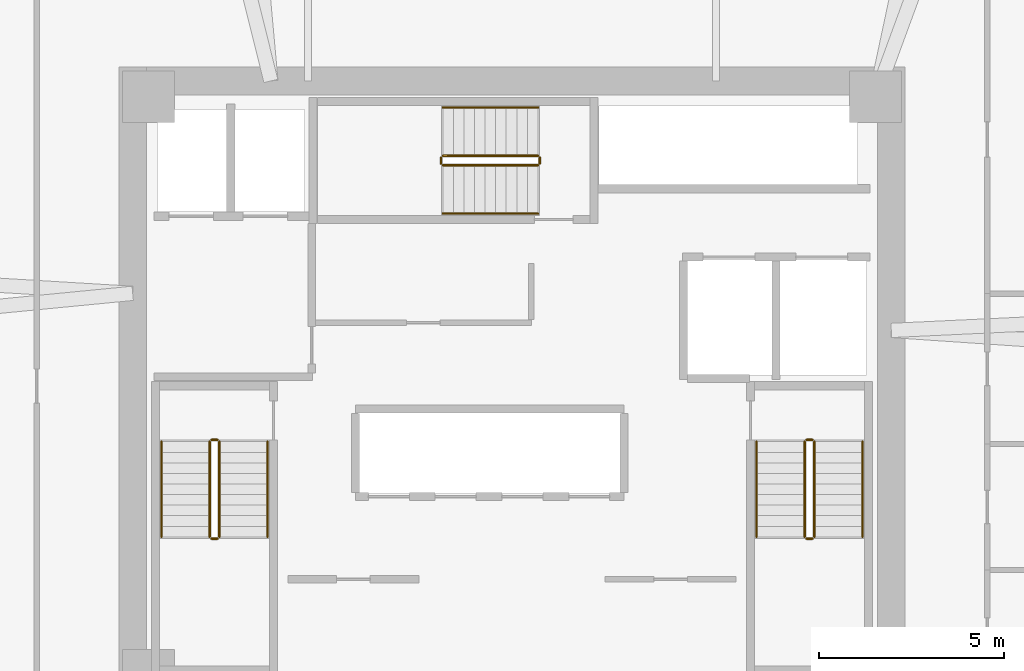
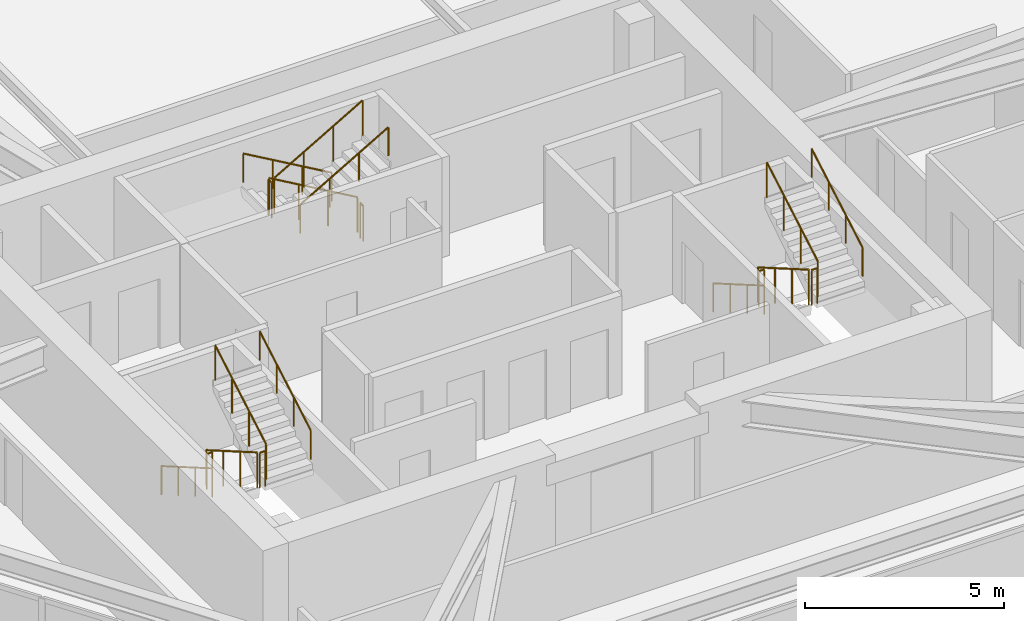
# One storey, part 13 of 13: 18 railings.
"""IFC4 building model written with IfcOpenShell, lengths in metres."""

import ifcopenshell
import ifcopenshell.guid

model = None  # the IFC model being written
_history = None  # IfcOwnerHistory: only IFC2X3 demands one
_inside = {}  # id of a spatial element -> (the spatial element, [elements in it])
_under = {}  # id of a project, library or spatial element -> (it, [spatial elements below it])
_declared = {}  # id of a project -> (the project, [libraries it declares])
_typed = {}  # id of a type object -> (the type object, [elements of that type])
_made_of = {}  # id of a material, layer set ... -> (it, [elements and type objects made of it])


def new_model(schema):
    """Start an empty IFC model of exactly this schema.

    Asked for "IFC4X3", IfcOpenShell would pick the latest addendum, in which some entities
    have other attributes; the version numbers below select the first issue.
    IFC2X3 requires an IfcOwnerHistory on every rooted entity: one is made here for all.
    """
    global model, _history
    if schema == "IFC4X3":
        model = ifcopenshell.file(schema_version=(4, 3, 0, 0))
    else:
        model = ifcopenshell.file(schema=schema)
    _inside.clear()
    _under.clear()
    _declared.clear()
    _typed.clear()
    _made_of.clear()
    _history = None
    if model.schema == "IFC2X3":
        org = make("IfcOrganization", Name="unknown")
        user = make(
            "IfcPersonAndOrganization",
            ThePerson=make("IfcPerson", FamilyName="unknown"),
            TheOrganization=org,
        )
        app = make(
            "IfcApplication",
            ApplicationDeveloper=org,
            Version="unknown",
            ApplicationFullName="unknown",
            ApplicationIdentifier="unknown",
        )
        _history = make(
            "IfcOwnerHistory",
            OwningUser=user,
            OwningApplication=app,
            ChangeAction="ADDED",
            CreationDate=0,
        )
    return model


def make(cls, **values):
    """One entity of the class cls with the attributes given. An attribute that is None is left unset."""
    return model.create_entity(
        cls, **{name: value for name, value in values.items() if value is not None}
    )


def rooted(cls, **values):
    """An entity with a GlobalId (a new one), such as an element, a storey or a relation."""
    return make(cls, GlobalId=ifcopenshell.guid.new(), OwnerHistory=_history, **values)


def si_unit(unit_type, name, prefix=None):
    """IfcSIUnit, for example si_unit("LENGTHUNIT", "METRE", prefix="MILLI")."""
    return make("IfcSIUnit", UnitType=unit_type, Prefix=prefix, Name=name)


def assignment(units):
    """IfcUnitAssignment: the units of a project."""
    return None if units is None else make("IfcUnitAssignment", Units=units)


def point(xyz):
    """IfcCartesianPoint."""
    return None if xyz is None else make("IfcCartesianPoint", Coordinates=xyz)


def direction(xyz):
    """IfcDirection."""
    return None if xyz is None else make("IfcDirection", DirectionRatios=xyz)


def frame(location, z_axis=None, x_axis=None):
    """IfcAxis2Placement3D, a coordinate frame: its origin and axes. An axis left out is left unset."""
    return make(
        "IfcAxis2Placement3D",
        Location=point(location),
        Axis=direction(z_axis),
        RefDirection=direction(x_axis),
    )


def frame_2d(location, x_axis=None):
    """IfcAxis2Placement2D, a coordinate frame in the plane: its origin and x axis."""
    return make(
        "IfcAxis2Placement2D", Location=point(location), RefDirection=direction(x_axis)
    )


def origin():
    """The frame at (0, 0, 0) with its axes left unset."""
    return frame((0.0, 0.0, 0.0))


def origin_2d():
    """The frame at (0, 0) in the plane with its x axis left unset."""
    return frame_2d((0.0, 0.0))


def place(relative_to, where):
    """IfcLocalPlacement: puts the frame where relative to a parent placement (None: the world)."""
    return make(
        "IfcLocalPlacement", PlacementRelTo=relative_to, RelativePlacement=where
    )


def context(
    kind, dimensions, precision=None, world=None, true_north=None, identifier=None
):
    """IfcGeometricRepresentationContext, for example the 3D "Model" context."""
    return make(
        "IfcGeometricRepresentationContext",
        ContextIdentifier=identifier,
        ContextType=kind,
        CoordinateSpaceDimension=dimensions,
        Precision=precision,
        WorldCoordinateSystem=world,
        TrueNorth=true_north,
    )


def subcontext(parent, identifier, kind, view, scale=None):
    """IfcGeometricRepresentationSubContext, for example "Body" below "Model"."""
    return make(
        "IfcGeometricRepresentationSubContext",
        ContextIdentifier=identifier,
        ContextType=kind,
        ParentContext=parent,
        TargetScale=scale,
        TargetView=view,
    )


def project(units=None, contexts=None):
    """IfcProject with its units and contexts."""
    return rooted(
        "IfcProject",
        Name="project",
        RepresentationContexts=contexts,
        UnitsInContext=assignment(units),
    )


def spatial(cls, under=None, at=None, **own):
    """A site, building, storey or space (cls), placed at a placement, below another one or the project."""
    s = rooted(cls, ObjectPlacement=at, **own)
    if under is not None:
        _under.setdefault(under.id(), (under, []))[1].append(s)
    return s


def profile(cls, at=None, kind="AREA", **sizes):
    """A parametric profile (cls). Its sizes go by their IFC names, for example OverallWidth=200.0."""
    return make(cls, ProfileType=kind, Position=at, **sizes)


def circle(**sizes):
    """IfcCircleProfileDef."""
    return profile("IfcCircleProfileDef", **sizes)


def extrude(swept, where, along, depth):
    """IfcExtrudedAreaSolid: the profile swept, set in the frame where, extruded along a direction by depth."""
    return make(
        "IfcExtrudedAreaSolid",
        SweptArea=swept,
        Position=where,
        ExtrudedDirection=direction(along),
        Depth=depth,
    )


def shape(context_of_items, identifier, shape_type, items):
    """IfcShapeRepresentation: the items that make up one representation, for example the "Body"."""
    return make(
        "IfcShapeRepresentation",
        ContextOfItems=context_of_items,
        RepresentationIdentifier=identifier,
        RepresentationType=shape_type,
        Items=items,
    )


def material(Name=None, Category=None):
    """IfcMaterial."""
    return make("IfcMaterial", Name=Name, Category=Category)


def made_of(thing, what):
    """Note that an element or type object is made of a material, layer set ...; save() writes the relation."""
    if what is not None:
        _made_of.setdefault(what.id(), (what, []))[1].append(thing)
    return thing


def type_object(cls, material=None, **own):
    """A type object (cls), such as IfcWallType, which elements share."""
    return made_of(rooted(cls, **own), material)


def element(
    cls,
    number,
    at=None,
    inside=None,
    cuts=None,
    type_object=None,
    material=None,
    context=None,
    identifier="Body",
    shape_type=None,
    held_by="IfcProductDefinitionShape",
    body=None,
    shapes=None,
    **own,
):
    """One element of the class cls, such as IfcWall. Its Tag is "e" and its number.

    at: its placement. inside: the storey or other place that contains it. cuts: it is an
    opening in that element (IfcRelVoidsElement). A single representation is given by context,
    identifier, shape_type and body (its items); several are given by shapes. held_by: the class
    of the entity that holds the representations. save() writes the other relations.
    """
    e = rooted(cls, Tag="e%d" % number, ObjectPlacement=at, **own)
    if body is not None:
        shapes = [shape(context, identifier, shape_type, body)]
    if shapes is not None:
        e.Representation = make(held_by, Representations=shapes)
    if inside is not None:
        _inside.setdefault(inside.id(), (inside, []))[1].append(e)
    if cuts is not None:
        rooted(
            "IfcRelVoidsElement", RelatingBuildingElement=cuts, RelatedOpeningElement=e
        )
    if type_object is not None:
        _typed.setdefault(type_object.id(), (type_object, []))[1].append(e)
    return made_of(e, material)


def aggregate(whole, parts):
    """IfcRelAggregates: a whole, such as a stair, and the parts it consists of."""
    return rooted("IfcRelAggregates", RelatingObject=whole, RelatedObjects=parts)


def save(model, path):
    """Write the relations noted so far, then the file.

    IfcRelAggregates (storeys below a building ...), IfcRelContainedInSpatialStructure (elements
    in a storey), IfcRelDefinesByType, IfcRelAssociatesMaterial and IfcRelDeclares: one each for
    every whole, place, type object, material and project.
    """
    for whole, parts in _under.values():
        aggregate(whole, parts)
    for where, things in _inside.values():
        rooted(
            "IfcRelContainedInSpatialStructure",
            RelatedElements=things,
            RelatingStructure=where,
        )
    for kind, things in _typed.values():
        rooted("IfcRelDefinesByType", RelatedObjects=things, RelatingType=kind)
    for what, things in _made_of.values():
        rooted("IfcRelAssociatesMaterial", RelatedObjects=things, RelatingMaterial=what)
    for by, libraries in _declared.values():
        rooted("IfcRelDeclares", RelatingContext=by, RelatedDefinitions=libraries)
    model.write(path)


model = new_model("IFC4")

# Units and contexts
model_context = context("Model", 3, precision=1e-05, world=origin(), true_north=direction((0.0, 1.0)))
body_context = subcontext(model_context, "Body", "Model", "MODEL_VIEW")
ifc_project = project(units=[si_unit("LENGTHUNIT", "METRE"), si_unit("AREAUNIT", "SQUARE_METRE"), si_unit("VOLUMEUNIT", "CUBIC_METRE"), si_unit("PLANEANGLEUNIT", "RADIAN"), si_unit("MASSUNIT", "GRAM", prefix="KILO")], contexts=[model_context])

# Site, building, storey
site_placement = place(None, origin())
site = spatial("IfcSite", under=ifc_project, at=site_placement, CompositionType="ELEMENT")
building_placement = place(site_placement, origin())
building = spatial("IfcBuilding", under=site, at=building_placement, Name="Durnholm Broadcast Tower", CompositionType="ELEMENT")
storey_placement = place(building_placement, frame((0.0, 0.0, 100.800048828125)))
storey = spatial("IfcBuildingStorey", under=building, at=storey_placement, Name="L26", CompositionType="ELEMENT", Elevation=100.800048828125)

# Railings
ifc_material_1 = material(Name="Painted Tubular Steel Stair Guardrail", Category="steel")
railing_type_1 = type_object("IfcRailingType", Name="RAIL-ST-GRD", PredefinedType="GUARDRAIL", material=ifc_material_1)
railing_1_placement = place(storey_placement, frame((-8.14990234375, -1.5, 0.1650390625)))
element("IfcRailing", 1, at=railing_1_placement, inside=storey, type_object=railing_type_1, Name="L26 ST-1 stair guard 1", PredefinedType="GUARDRAIL", context=body_context, shape_type="SweptSolid", body=[
    extrude(circle(Radius=0.02392578125, at=origin_2d()), frame((0.0, 0.0, 1.076171875), z_axis=(0.0, -0.865441324677, 0.50101029285), x_axis=(1.0, 0.0, 0.0)), (0.0, 0.0, 1.0), 2.963623046875),
    extrude(circle(Radius=0.02099609375, at=origin_2d()), origin(), (0.0, 0.0, 1.0), 1.052001953125),
    extrude(circle(Radius=0.02099609375, at=origin_2d()), frame((0.0, -0.85498046875, 0.494873046875)), (0.0, 0.0, 1.0), 1.052001953125),
    extrude(circle(Radius=0.02099609375, at=origin_2d()), frame((0.0, -1.7099609375, 0.989990234375)), (0.0, 0.0, 1.0), 1.052001953125),
    extrude(circle(Radius=0.02099609375, at=origin_2d()), frame((0.0, -2.56494140625, 1.48486328125)), (0.0, 0.0, 1.0), 1.052001953125),
])
railing_2_placement = place(storey_placement, frame((-8.10009765625, -4.114990234375, 1.64990234375)))
element("IfcRailing", 2, at=railing_2_placement, inside=storey, type_object=railing_type_1, Name="L26 ST-1 stair guard 2", PredefinedType="GUARDRAIL", context=body_context, shape_type="SweptSolid", body=[
    extrude(circle(Radius=0.02392578125, at=origin_2d()), frame((0.0, 0.0, 1.076171875), z_axis=(1.0, 0.0, 0.0), x_axis=(0.0, 1.0, 0.0)), (0.0, 0.0, 1.0), 0.16015625),
    extrude(circle(Radius=0.02099609375, at=origin_2d()), origin(), (0.0, 0.0, 1.0), 1.052001953125),
    extrude(circle(Radius=0.02099609375, at=origin_2d()), frame((0.16015625, 0.0, 0.0)), (0.0, 0.0, 1.0), 1.052001953125),
])
railing_3_placement = place(storey_placement, frame((-7.889892578125, -4.06494140625, 1.81494140625)))
element("IfcRailing", 3, at=railing_3_placement, inside=storey, type_object=railing_type_1, Name="L26 ST-1 stair guard 3", PredefinedType="GUARDRAIL", context=body_context, shape_type="SweptSolid", body=[
    extrude(circle(Radius=0.02392578125, at=origin_2d()), frame((0.0, 0.0, 1.076171875), z_axis=(0.0, 0.865405606168, 0.501071987656), x_axis=(-1.0, 0.0, 0.0)), (0.0, 0.0, 1.0), 2.9638671875),
    extrude(circle(Radius=0.02099609375, at=origin_2d()), origin(), (0.0, 0.0, 1.0), 1.052001953125),
    extrude(circle(Radius=0.02099609375, at=origin_2d()), frame((0.0, 0.85498046875, 0.4951171875)), (0.0, 0.0, 1.0), 1.052001953125),
    extrude(circle(Radius=0.02099609375, at=origin_2d()), frame((0.0, 1.7099609375, 0.989990234375)), (0.0, 0.0, 1.0), 1.052001953125),
    extrude(circle(Radius=0.02099609375, at=origin_2d()), frame((0.0, 2.56494140625, 1.485107421875)), (0.0, 0.0, 1.0), 1.052001953125),
])
railing_4_placement = place(storey_placement, frame((-8.10009765625, -1.449951171875, 0.0)))
element("IfcRailing", 4, at=railing_4_placement, inside=storey, type_object=railing_type_1, Name="L26 ST-1 stair guard 4", PredefinedType="GUARDRAIL", context=body_context, shape_type="SweptSolid", body=[
    extrude(circle(Radius=0.02392578125, at=origin_2d()), frame((0.0, 0.0, 1.076171875), z_axis=(1.0, 0.0, 0.0), x_axis=(0.0, 1.0, 0.0)), (0.0, 0.0, 1.0), 0.16015625),
    extrude(circle(Radius=0.02099609375, at=origin_2d()), origin(), (0.0, 0.0, 1.0), 1.052001953125),
    extrude(circle(Radius=0.02099609375, at=origin_2d()), frame((0.16015625, 0.0, 0.0)), (0.0, 0.0, 1.0), 1.052001953125),
])
railing_5_placement = place(storey_placement, frame((7.889892578125, -1.5, 0.1650390625)))
element("IfcRailing", 5, at=railing_5_placement, inside=storey, type_object=railing_type_1, Name="L26 ST-2 stair guard 1", PredefinedType="GUARDRAIL", context=body_context, shape_type="SweptSolid", body=[
    extrude(circle(Radius=0.02392578125, at=origin_2d()), frame((0.0, 0.0, 1.076171875), z_axis=(0.0, -0.865441324677, 0.50101029285), x_axis=(1.0, 0.0, 0.0)), (0.0, 0.0, 1.0), 2.963623046875),
    extrude(circle(Radius=0.02099609375, at=origin_2d()), origin(), (0.0, 0.0, 1.0), 1.052001953125),
    extrude(circle(Radius=0.02099609375, at=origin_2d()), frame((0.0, -0.85498046875, 0.494873046875)), (0.0, 0.0, 1.0), 1.052001953125),
    extrude(circle(Radius=0.02099609375, at=origin_2d()), frame((0.0, -1.7099609375, 0.989990234375)), (0.0, 0.0, 1.0), 1.052001953125),
    extrude(circle(Radius=0.02099609375, at=origin_2d()), frame((0.0, -2.56494140625, 1.48486328125)), (0.0, 0.0, 1.0), 1.052001953125),
])
railing_6_placement = place(storey_placement, frame((7.93994140625, -4.114990234375, 1.64990234375)))
element("IfcRailing", 6, at=railing_6_placement, inside=storey, type_object=railing_type_1, Name="L26 ST-2 stair guard 2", PredefinedType="GUARDRAIL", context=body_context, shape_type="SweptSolid", body=[
    extrude(circle(Radius=0.02392578125, at=origin_2d()), frame((0.0, 0.0, 1.076171875), z_axis=(1.0, 0.0, 0.0), x_axis=(0.0, 1.0, 0.0)), (0.0, 0.0, 1.0), 0.16015625),
    extrude(circle(Radius=0.02099609375, at=origin_2d()), origin(), (0.0, 0.0, 1.0), 1.052001953125),
    extrude(circle(Radius=0.02099609375, at=origin_2d()), frame((0.16015625, 0.0, 0.0)), (0.0, 0.0, 1.0), 1.052001953125),
])
railing_7_placement = place(storey_placement, frame((8.14990234375, -4.06494140625, 1.81494140625)))
element("IfcRailing", 7, at=railing_7_placement, inside=storey, type_object=railing_type_1, Name="L26 ST-2 stair guard 3", PredefinedType="GUARDRAIL", context=body_context, shape_type="SweptSolid", body=[
    extrude(circle(Radius=0.02392578125, at=origin_2d()), frame((0.0, 0.0, 1.076171875), z_axis=(0.0, 0.865405606168, 0.501071987656), x_axis=(-1.0, 0.0, 0.0)), (0.0, 0.0, 1.0), 2.9638671875),
    extrude(circle(Radius=0.02099609375, at=origin_2d()), origin(), (0.0, 0.0, 1.0), 1.052001953125),
    extrude(circle(Radius=0.02099609375, at=origin_2d()), frame((0.0, 0.85498046875, 0.4951171875)), (0.0, 0.0, 1.0), 1.052001953125),
    extrude(circle(Radius=0.02099609375, at=origin_2d()), frame((0.0, 1.7099609375, 0.989990234375)), (0.0, 0.0, 1.0), 1.052001953125),
    extrude(circle(Radius=0.02099609375, at=origin_2d()), frame((0.0, 2.56494140625, 1.485107421875)), (0.0, 0.0, 1.0), 1.052001953125),
])
railing_8_placement = place(storey_placement, frame((7.93994140625, -1.449951171875, 0.0)))
element("IfcRailing", 8, at=railing_8_placement, inside=storey, type_object=railing_type_1, Name="L26 ST-2 stair guard 4", PredefinedType="GUARDRAIL", context=body_context, shape_type="SweptSolid", body=[
    extrude(circle(Radius=0.02392578125, at=origin_2d()), frame((0.0, 0.0, 1.076171875), z_axis=(1.0, 0.0, 0.0), x_axis=(0.0, 1.0, 0.0)), (0.0, 0.0, 1.0), 0.16015625),
    extrude(circle(Radius=0.02099609375, at=origin_2d()), origin(), (0.0, 0.0, 1.0), 1.052001953125),
    extrude(circle(Radius=0.02099609375, at=origin_2d()), frame((0.16015625, 0.0, 0.0)), (0.0, 0.0, 1.0), 1.052001953125),
])
railing_9_placement = place(storey_placement, frame((0.699951171875, 6.2099609375, 0.1650390625)))
element("IfcRailing", 9, at=railing_9_placement, inside=storey, type_object=railing_type_1, Name="L26 ST-3 stair guard 1", PredefinedType="GUARDRAIL", context=body_context, shape_type="SweptSolid", body=[
    extrude(circle(Radius=0.02392578125, at=origin_2d()), frame((0.0, 0.0, 1.076171875), z_axis=(-0.865441324677, 0.0, 0.50101029285), x_axis=(0.0, -1.0, 0.0)), (0.0, 0.0, 1.0), 2.963623046875),
    extrude(circle(Radius=0.02099609375, at=origin_2d()), origin(), (0.0, 0.0, 1.0), 1.052001953125),
    extrude(circle(Radius=0.02099609375, at=origin_2d()), frame((-0.85498046875, 0.0, 0.494873046875)), (0.0, 0.0, 1.0), 1.052001953125),
    extrude(circle(Radius=0.02099609375, at=origin_2d()), frame((-1.7099609375, 0.0, 0.989990234375)), (0.0, 0.0, 1.0), 1.052001953125),
    extrude(circle(Radius=0.02099609375, at=origin_2d()), frame((-2.56494140625, 0.0, 1.48486328125)), (0.0, 0.0, 1.0), 1.052001953125),
])
railing_10_placement = place(storey_placement, frame((-1.9150390625, 6.159912109375, 1.64990234375)))
element("IfcRailing", 10, at=railing_10_placement, inside=storey, type_object=railing_type_1, Name="L26 ST-3 stair guard 2", PredefinedType="GUARDRAIL", context=body_context, shape_type="SweptSolid", body=[
    extrude(circle(Radius=0.02392578125, at=origin_2d()), frame((0.0, 0.0, 1.076171875), z_axis=(0.0, -1.0, 0.0), x_axis=(1.0, 0.0, 0.0)), (0.0, 0.0, 1.0), 0.159912109375),
    extrude(circle(Radius=0.02099609375, at=origin_2d()), origin(), (0.0, 0.0, 1.0), 1.052001953125),
    extrude(circle(Radius=0.02099609375, at=origin_2d()), frame((0.0, -0.159912109375, 0.0)), (0.0, 0.0, 1.0), 1.052001953125),
])
railing_11_placement = place(storey_placement, frame((-1.864990234375, 5.949951171875, 1.81494140625)))
element("IfcRailing", 11, at=railing_11_placement, inside=storey, type_object=railing_type_1, Name="L26 ST-3 stair guard 3", PredefinedType="GUARDRAIL", context=body_context, shape_type="SweptSolid", body=[
    extrude(circle(Radius=0.02392578125, at=origin_2d()), frame((0.0, 0.0, 1.076171875), z_axis=(0.865405606168, 0.0, 0.501071987656), x_axis=(0.0, 1.0, 0.0)), (0.0, 0.0, 1.0), 2.9638671875),
    extrude(circle(Radius=0.02099609375, at=origin_2d()), origin(), (0.0, 0.0, 1.0), 1.052001953125),
    extrude(circle(Radius=0.02099609375, at=origin_2d()), frame((0.85498046875, 0.0, 0.4951171875)), (0.0, 0.0, 1.0), 1.052001953125),
    extrude(circle(Radius=0.02099609375, at=origin_2d()), frame((1.7099609375, 0.0, 0.989990234375)), (0.0, 0.0, 1.0), 1.052001953125),
    extrude(circle(Radius=0.02099609375, at=origin_2d()), frame((2.56494140625, 0.0, 1.485107421875)), (0.0, 0.0, 1.0), 1.052001953125),
])
railing_12_placement = place(storey_placement, frame((0.75, 6.159912109375, 0.0)))
element("IfcRailing", 12, at=railing_12_placement, inside=storey, type_object=railing_type_1, Name="L26 ST-3 stair guard 4", PredefinedType="GUARDRAIL", context=body_context, shape_type="SweptSolid", body=[
    extrude(circle(Radius=0.02392578125, at=origin_2d()), frame((0.0, 0.0, 1.076171875), z_axis=(0.0, -1.0, 0.0), x_axis=(1.0, 0.0, 0.0)), (0.0, 0.0, 1.0), 0.159912109375),
    extrude(circle(Radius=0.02099609375, at=origin_2d()), origin(), (0.0, 0.0, 1.0), 1.052001953125),
    extrude(circle(Radius=0.02099609375, at=origin_2d()), frame((0.0, -0.159912109375, 0.0)), (0.0, 0.0, 1.0), 1.052001953125),
])
ifc_material_2 = material(Name="Brushed Stainless Steel Handrail", Category="steel")
railing_type_2 = type_object("IfcRailingType", Name="RAIL-ST-HND", PredefinedType="HANDRAIL", material=ifc_material_2)
railing_13_placement = place(storey_placement, frame((-9.449951171875, -1.5, 0.329833984375)))
element("IfcRailing", 13, at=railing_13_placement, inside=storey, type_object=railing_type_2, Name="L26 ST-1 stair handrail 1", PredefinedType="HANDRAIL", context=body_context, shape_type="SweptSolid", body=[
    extrude(circle(Radius=0.02392578125, at=origin_2d()), frame((0.0, 0.0, 0.8759765625), z_axis=(0.0, -0.865405606168, 0.501071987656), x_axis=(1.0, 0.0, 0.0)), (0.0, 0.0, 1.0), 2.9638671875),
    extrude(circle(Radius=0.02099609375, at=origin_2d()), origin(), (0.0, 0.0, 1.0), 0.851806640625),
    extrude(circle(Radius=0.02099609375, at=origin_2d()), frame((0.0, -0.85498046875, 0.4951171875)), (0.0, 0.0, 1.0), 0.851806640625),
    extrude(circle(Radius=0.02099609375, at=origin_2d()), frame((0.0, -1.7099609375, 0.989990234375)), (0.0, 0.0, 1.0), 0.851806640625),
    extrude(circle(Radius=0.02099609375, at=origin_2d()), frame((0.0, -2.56494140625, 1.485107421875)), (0.0, 0.0, 1.0), 0.851806640625),
])
railing_14_placement = place(storey_placement, frame((-6.590087890625, -4.06494140625, 1.97998046875)))
element("IfcRailing", 14, at=railing_14_placement, inside=storey, type_object=railing_type_2, Name="L26 ST-1 stair handrail 2", PredefinedType="HANDRAIL", context=body_context, shape_type="SweptSolid", body=[
    extrude(circle(Radius=0.02392578125, at=origin_2d()), frame((0.0, 0.0, 0.8759765625), z_axis=(0.0, 0.865441324677, 0.50101029285), x_axis=(-1.0, 0.0, 0.0)), (0.0, 0.0, 1.0), 2.963623046875),
    extrude(circle(Radius=0.02099609375, at=origin_2d()), origin(), (0.0, 0.0, 1.0), 0.851806640625),
    extrude(circle(Radius=0.02099609375, at=origin_2d()), frame((0.0, 0.85498046875, 0.494873046875)), (0.0, 0.0, 1.0), 0.851806640625),
    extrude(circle(Radius=0.02099609375, at=origin_2d()), frame((0.0, 1.7099609375, 0.989990234375)), (0.0, 0.0, 1.0), 0.851806640625),
    extrude(circle(Radius=0.02099609375, at=origin_2d()), frame((0.0, 2.56494140625, 1.48486328125)), (0.0, 0.0, 1.0), 0.851806640625),
])
railing_15_placement = place(storey_placement, frame((6.590087890625, -1.5, 0.329833984375)))
element("IfcRailing", 15, at=railing_15_placement, inside=storey, type_object=railing_type_2, Name="L26 ST-2 stair handrail 1", PredefinedType="HANDRAIL", context=body_context, shape_type="SweptSolid", body=[
    extrude(circle(Radius=0.02392578125, at=origin_2d()), frame((0.0, 0.0, 0.8759765625), z_axis=(0.0, -0.865405606168, 0.501071987656), x_axis=(1.0, 0.0, 0.0)), (0.0, 0.0, 1.0), 2.9638671875),
    extrude(circle(Radius=0.02099609375, at=origin_2d()), origin(), (0.0, 0.0, 1.0), 0.851806640625),
    extrude(circle(Radius=0.02099609375, at=origin_2d()), frame((0.0, -0.85498046875, 0.4951171875)), (0.0, 0.0, 1.0), 0.851806640625),
    extrude(circle(Radius=0.02099609375, at=origin_2d()), frame((0.0, -1.7099609375, 0.989990234375)), (0.0, 0.0, 1.0), 0.851806640625),
    extrude(circle(Radius=0.02099609375, at=origin_2d()), frame((0.0, -2.56494140625, 1.485107421875)), (0.0, 0.0, 1.0), 0.851806640625),
])
railing_16_placement = place(storey_placement, frame((9.449951171875, -4.06494140625, 1.97998046875)))
element("IfcRailing", 16, at=railing_16_placement, inside=storey, type_object=railing_type_2, Name="L26 ST-2 stair handrail 2", PredefinedType="HANDRAIL", context=body_context, shape_type="SweptSolid", body=[
    extrude(circle(Radius=0.02392578125, at=origin_2d()), frame((0.0, 0.0, 0.8759765625), z_axis=(0.0, 0.865441324677, 0.50101029285), x_axis=(-1.0, 0.0, 0.0)), (0.0, 0.0, 1.0), 2.963623046875),
    extrude(circle(Radius=0.02099609375, at=origin_2d()), origin(), (0.0, 0.0, 1.0), 0.851806640625),
    extrude(circle(Radius=0.02099609375, at=origin_2d()), frame((0.0, 0.85498046875, 0.494873046875)), (0.0, 0.0, 1.0), 0.851806640625),
    extrude(circle(Radius=0.02099609375, at=origin_2d()), frame((0.0, 1.7099609375, 0.989990234375)), (0.0, 0.0, 1.0), 0.851806640625),
    extrude(circle(Radius=0.02099609375, at=origin_2d()), frame((0.0, 2.56494140625, 1.48486328125)), (0.0, 0.0, 1.0), 0.851806640625),
])
railing_17_placement = place(storey_placement, frame((0.699951171875, 7.510009765625, 0.329833984375)))
element("IfcRailing", 17, at=railing_17_placement, inside=storey, type_object=railing_type_2, Name="L26 ST-3 stair handrail 1", PredefinedType="HANDRAIL", context=body_context, shape_type="SweptSolid", body=[
    extrude(circle(Radius=0.02392578125, at=origin_2d()), frame((0.0, 0.0, 0.8759765625), z_axis=(-0.865405606168, 0.0, 0.501071987656), x_axis=(0.0, -1.0, 0.0)), (0.0, 0.0, 1.0), 2.9638671875),
    extrude(circle(Radius=0.02099609375, at=origin_2d()), origin(), (0.0, 0.0, 1.0), 0.851806640625),
    extrude(circle(Radius=0.02099609375, at=origin_2d()), frame((-0.85498046875, 0.0, 0.4951171875)), (0.0, 0.0, 1.0), 0.851806640625),
    extrude(circle(Radius=0.02099609375, at=origin_2d()), frame((-1.7099609375, 0.0, 0.989990234375)), (0.0, 0.0, 1.0), 0.851806640625),
    extrude(circle(Radius=0.02099609375, at=origin_2d()), frame((-2.56494140625, 0.0, 1.485107421875)), (0.0, 0.0, 1.0), 0.851806640625),
])
railing_18_placement = place(storey_placement, frame((-1.864990234375, 4.64990234375, 1.97998046875)))
element("IfcRailing", 18, at=railing_18_placement, inside=storey, type_object=railing_type_2, Name="L26 ST-3 stair handrail 2", PredefinedType="HANDRAIL", context=body_context, shape_type="SweptSolid", body=[
    extrude(circle(Radius=0.02392578125, at=origin_2d()), frame((0.0, 0.0, 0.8759765625), z_axis=(0.865441324677, 0.0, 0.50101029285), x_axis=(0.0, 1.0, 0.0)), (0.0, 0.0, 1.0), 2.963623046875),
    extrude(circle(Radius=0.02099609375, at=origin_2d()), origin(), (0.0, 0.0, 1.0), 0.851806640625),
    extrude(circle(Radius=0.02099609375, at=origin_2d()), frame((0.85498046875, 0.0, 0.494873046875)), (0.0, 0.0, 1.0), 0.851806640625),
    extrude(circle(Radius=0.02099609375, at=origin_2d()), frame((1.7099609375, 0.0, 0.989990234375)), (0.0, 0.0, 1.0), 0.851806640625),
    extrude(circle(Radius=0.02099609375, at=origin_2d()), frame((2.56494140625, 0.0, 1.48486328125)), (0.0, 0.0, 1.0), 0.851806640625),
])

save(model, "model.ifc")
